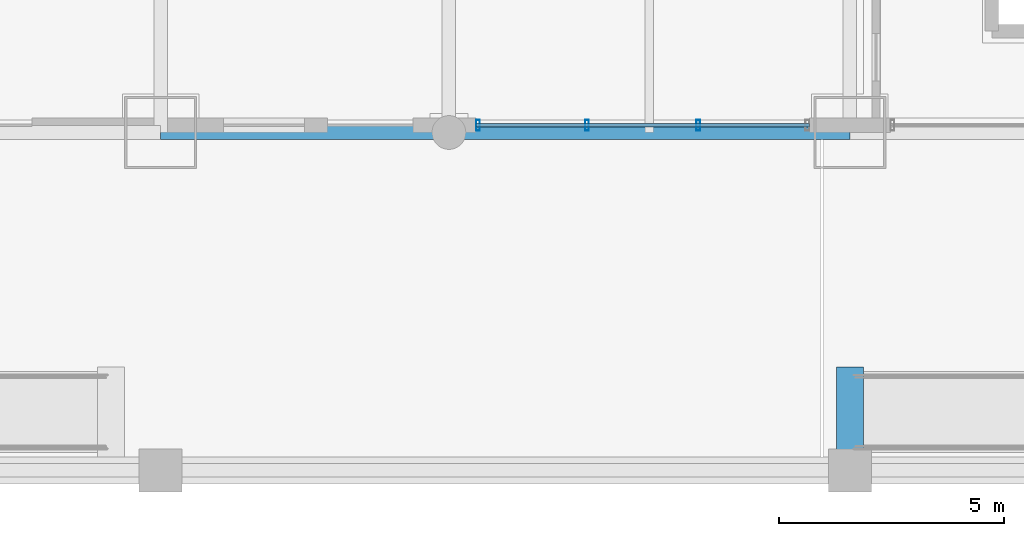
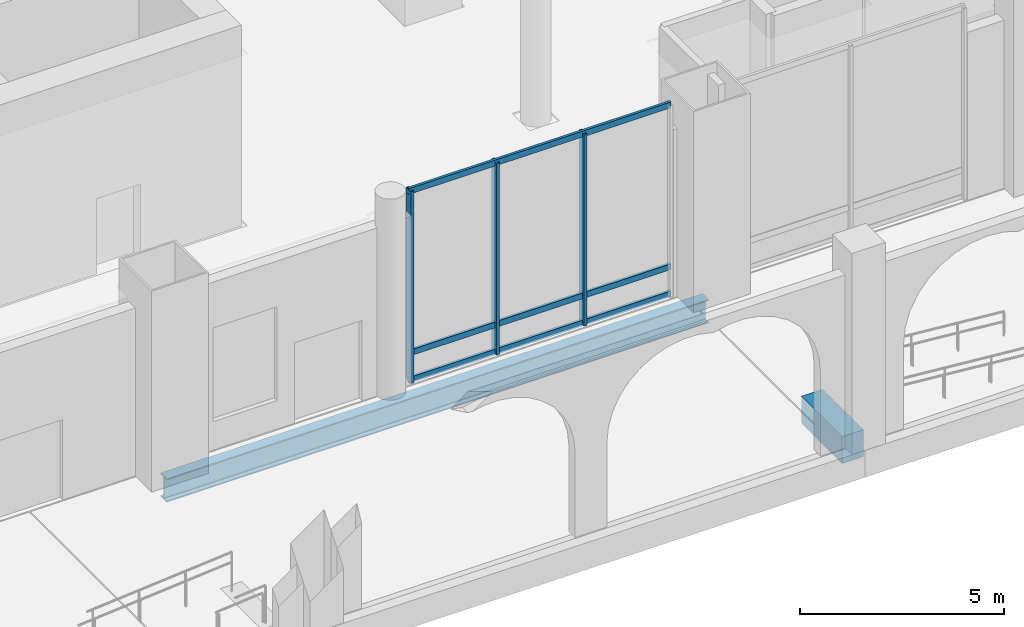
# One storey, part 5 of 32: 6 members, 2 beams, 1 element without a shape of its own.
"""IFC4 building model written with IfcOpenShell, lengths in metres."""

from ifc_helpers import new_model, si_unit, direction, frame, origin, origin_2d, place, context, subcontext, project, spatial, rectangle, hollow_rectangle, i_section, extrude, material, material_profile, profile_set, type_object, element, aggregate, save


model = new_model("IFC4")

# Units and contexts
model_context = context("Model", 3, precision=1e-05, world=origin(), true_north=direction((0.0, 1.0)))
body_context = subcontext(model_context, "Body", "Model", "MODEL_VIEW")
ifc_project = project(units=[si_unit("LENGTHUNIT", "METRE"), si_unit("AREAUNIT", "SQUARE_METRE"), si_unit("VOLUMEUNIT", "CUBIC_METRE"), si_unit("PLANEANGLEUNIT", "RADIAN"), si_unit("MASSUNIT", "GRAM", prefix="KILO")], contexts=[model_context])

# Site, building, storey
site_placement = place(None, origin())
site = spatial("IfcSite", under=ifc_project, at=site_placement, CompositionType="ELEMENT")
building_placement = place(site_placement, origin())
building = spatial("IfcBuilding", under=site, at=building_placement, Name="Punatoya Terracotta Tower", CompositionType="ELEMENT")
storey_placement = place(building_placement, origin())
storey = spatial("IfcBuildingStorey", under=building, at=storey_placement, Name="L00", CompositionType="ELEMENT", Elevation=0.0)

# Beams
ifc_material_1 = material(Name="Steel S355", Category="steel")
ifc_material_profile_1 = material_profile(ifc_material_1, i_section(OverallWidth=0.300048828125, OverallDepth=0.699951171875, WebThickness=0.01708984375, FlangeThickness=0.031982421875, FilletRadius=0.01806640625, at=origin_2d()))
ifc_profile_set_1 = profile_set([ifc_material_profile_1], Name="Steel S355")
beam_type_1 = type_object("IfcBeamType", Name="BM-PRI-700", PredefinedType="BEAM", material=ifc_profile_set_1)
beam_1_placement = place(storey_placement, frame((3.800048828125, -17.5, -0.6298828125), z_axis=(1.0, 0.0, 0.0), x_axis=(0.0, 1.0, 0.0)))
element("IfcBeam", 1, at=beam_1_placement, inside=storey, type_object=beam_type_1, Name="BM-L00-RG-S3", PredefinedType="BEAM", context=body_context, shape_type="SweptSolid", body=[
    extrude(i_section(OverallWidth=0.300048828125, OverallDepth=0.699951171875, WebThickness=0.01708984375, FlangeThickness=0.031982421875, FilletRadius=0.01806640625, at=origin_2d()), origin(), (0.0, 0.0, 1.0), 15.300048828125),
])
ifc_material_2 = material(Name="Concrete C45/55", Category="concrete")
ifc_material_profile_2 = material_profile(ifc_material_2, rectangle(XDim=0.60009765625, YDim=0.800048828125, at=origin_2d()))
ifc_profile_set_2 = profile_set([ifc_material_profile_2], Name="Concrete C45/55")
beam_type_2 = type_object("IfcBeamType", Name="BM-RC-GRD", PredefinedType="BEAM", material=ifc_profile_set_2)
beam_2_placement = place(storey_placement, frame((19.10009765625, -24.699951171875, -0.39990234375), z_axis=(0.0, 1.0, 0.0), x_axis=(-1.0, 0.0, 0.0)))
element("IfcBeam", 2, at=beam_2_placement, inside=storey, type_object=beam_type_2, Name="GB-PR2-HI", PredefinedType="BEAM", context=body_context, shape_type="SweptSolid", body=[
    extrude(rectangle(XDim=0.60009765625, YDim=0.800048828125, at=origin_2d()), origin(), (0.0, 0.0, 1.0), 2.0),
])

# Curtain wall, members
ifc_material_3 = material(Name="Aluminium 6063-T6 + Double Low-E Glass", Category="aluminium")
curtain_wall_type = type_object("IfcCurtainWallType", Name="CW-POD", PredefinedType="NOTDEFINED", material=ifc_material_3)
curtain_wall_placement = place(storey_placement, origin())
curtain_wall = element("IfcCurtainWall", 3, at=curtain_wall_placement, inside=storey, type_object=curtain_wall_type, Name="L00 Curtain Wall CWP-L00-S2A", PredefinedType="NOTDEFINED")
ifc_material_4 = material(Name="Aluminium 6063-T6", Category="aluminium")
ifc_material_profile_3 = material_profile(ifc_material_4, hollow_rectangle(XDim=0.0849609375, YDim=0.239990234375, WallThickness=0.0048828125, at=origin_2d()))
ifc_profile_set_3 = profile_set([ifc_material_profile_3], Name="Aluminium 6063-T6")
member_type_1 = type_object("IfcMemberType", Name="CW-MUL-POD", PredefinedType="MULLION", material=ifc_profile_set_3)
member_1_placement = place(storey_placement, frame((10.844970703125, -17.340087890625, 0.0), z_axis=(0.0, 0.0, 1.0), x_axis=(1.0, 0.0, 0.0)))
member_1 = element("IfcMember", 4, at=member_1_placement, type_object=member_type_1, Name="CWP-L00-S2A Mullion 00", PredefinedType="MULLION", context=body_context, shape_type="SweptSolid", body=[
    extrude(hollow_rectangle(XDim=0.0849609375, YDim=0.239990234375, WallThickness=0.0048828125, at=origin_2d()), origin(), (0.0, 0.0, 1.0), 5.719970703125),
])
member_2_placement = place(storey_placement, frame((13.2666015625, -17.340087890625, 0.0), z_axis=(0.0, 0.0, 1.0), x_axis=(1.0, 0.0, 0.0)))
member_2 = element("IfcMember", 5, at=member_2_placement, type_object=member_type_1, Name="CWP-L00-S2A Mullion 01", PredefinedType="MULLION", context=body_context, shape_type="SweptSolid", body=[
    extrude(hollow_rectangle(XDim=0.0849609375, YDim=0.239990234375, WallThickness=0.0048828125, at=origin_2d()), origin(), (0.0, 0.0, 1.0), 5.719970703125),
])
member_3_placement = place(storey_placement, frame((15.7333984375, -17.340087890625, 0.0), z_axis=(0.0, 0.0, 1.0), x_axis=(1.0, 0.0, 0.0)))
member_3 = element("IfcMember", 6, at=member_3_placement, type_object=member_type_1, Name="CWP-L00-S2A Mullion 02", PredefinedType="MULLION", context=body_context, shape_type="SweptSolid", body=[
    extrude(hollow_rectangle(XDim=0.0849609375, YDim=0.239990234375, WallThickness=0.0048828125, at=origin_2d()), origin(), (0.0, 0.0, 1.0), 5.719970703125),
])
ifc_material_profile_4 = material_profile(ifc_material_4, hollow_rectangle(XDim=0.074951171875, YDim=0.175048828125, WallThickness=0.00439453125, at=origin_2d()))
ifc_profile_set_4 = profile_set([ifc_material_profile_4], Name="Aluminium 6063-T6")
member_type_2 = type_object("IfcMemberType", Name="CW-TRN-POD", PredefinedType="USERDEFINED", material=ifc_profile_set_4)
member_4_placement = place(storey_placement, frame((10.800048828125, -17.340087890625, 0.0400390625), z_axis=(1.0, 0.0, 0.0), x_axis=(0.0, 1.0, 0.0)))
member_4 = element("IfcMember", 7, at=member_4_placement, type_object=member_type_2, Name="CWP-L00-S2A Transom 1", ObjectType="TRANSOM", PredefinedType="USERDEFINED", context=body_context, shape_type="SweptSolid", body=[
    extrude(hollow_rectangle(XDim=0.074951171875, YDim=0.175048828125, WallThickness=0.00439453125, at=origin_2d()), origin(), (0.0, 0.0, 1.0), 7.39990234375),
])
member_5_placement = place(storey_placement, frame((10.800048828125, -17.340087890625, 0.85009765625), z_axis=(1.0, 0.0, 0.0), x_axis=(0.0, 1.0, 0.0)))
member_5 = element("IfcMember", 8, at=member_5_placement, type_object=member_type_2, Name="CWP-L00-S2A Transom 2", ObjectType="TRANSOM", PredefinedType="USERDEFINED", context=body_context, shape_type="SweptSolid", body=[
    extrude(hollow_rectangle(XDim=0.074951171875, YDim=0.175048828125, WallThickness=0.00439453125, at=origin_2d()), origin(), (0.0, 0.0, 1.0), 7.39990234375),
])
member_6_placement = place(storey_placement, frame((10.800048828125, -17.340087890625, 5.679931640625), z_axis=(1.0, 0.0, 0.0), x_axis=(0.0, 1.0, 0.0)))
member_6 = element("IfcMember", 9, at=member_6_placement, type_object=member_type_2, Name="CWP-L00-S2A Transom 3", ObjectType="TRANSOM", PredefinedType="USERDEFINED", context=body_context, shape_type="SweptSolid", body=[
    extrude(hollow_rectangle(XDim=0.074951171875, YDim=0.175048828125, WallThickness=0.00439453125, at=origin_2d()), origin(), (0.0, 0.0, 1.0), 7.39990234375),
])
aggregate(curtain_wall, [member_1, member_2, member_3, member_4, member_5, member_6])

save(model, "model.ifc")
